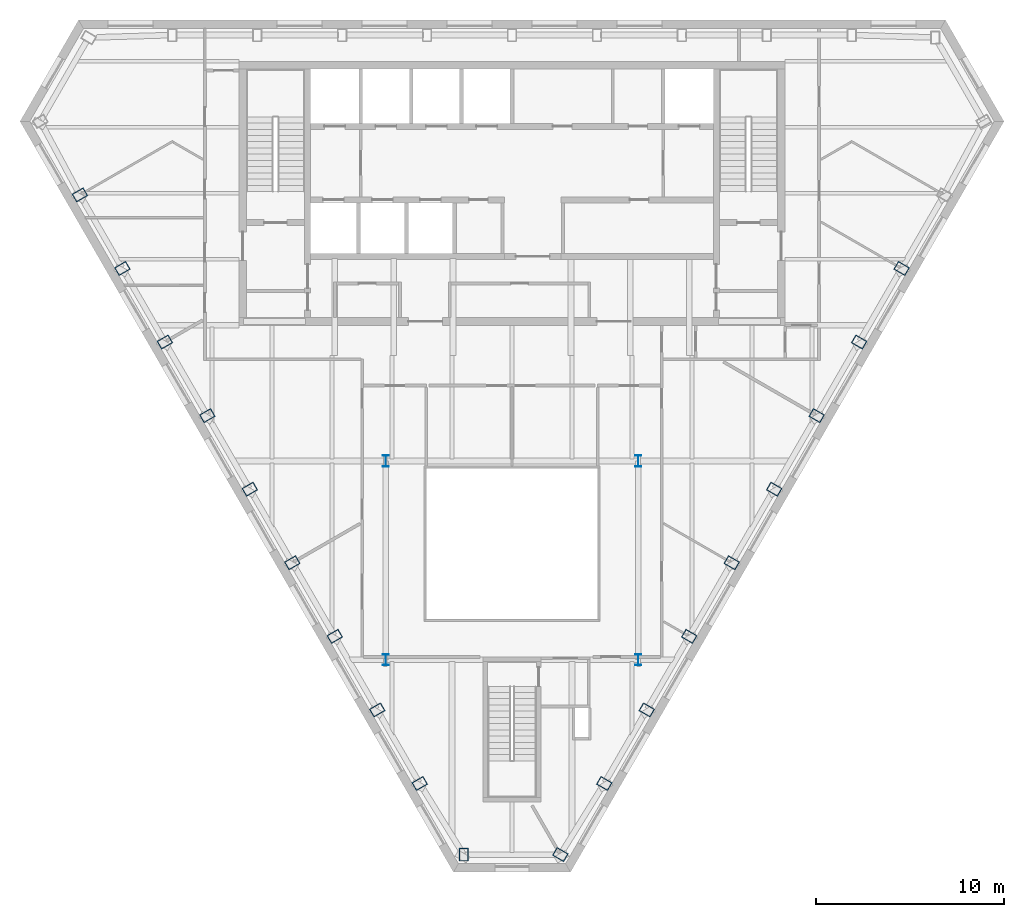
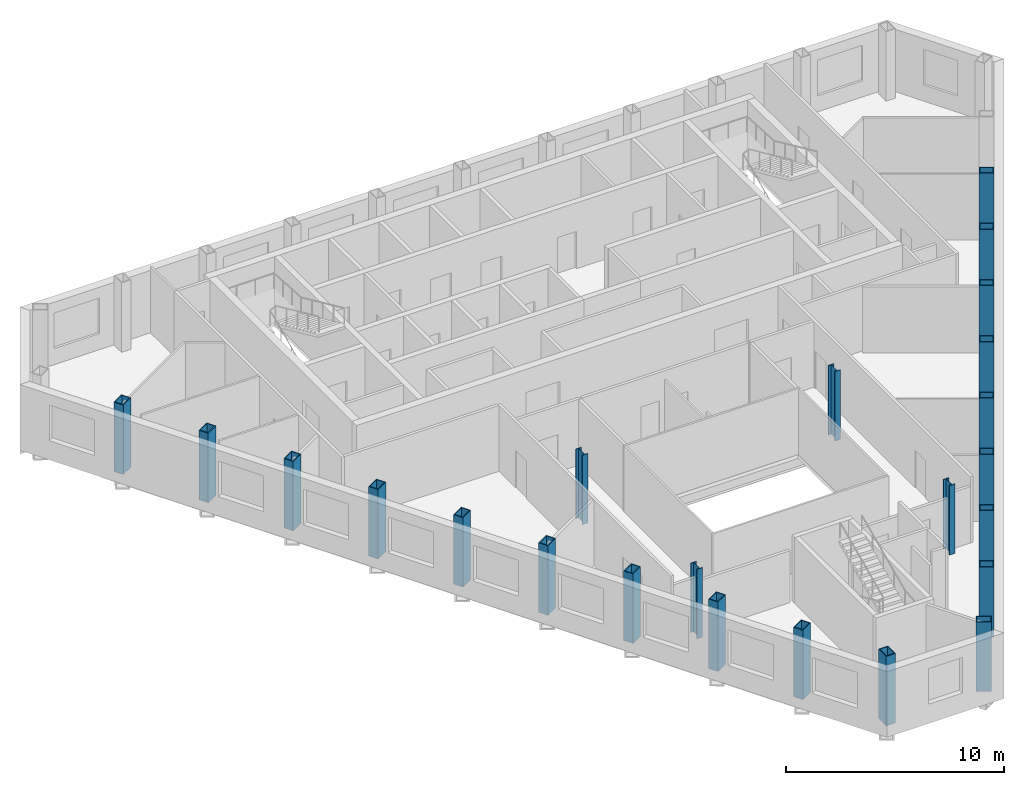
# One storey, part 1 of 10: 23 columns.
"""IFC4 building model written with IfcOpenShell, lengths in metres."""

from ifc_helpers import new_model, si_unit, direction, frame, origin, origin_2d, place, context, subcontext, project, spatial, hollow_rectangle, i_section, extrude, material, material_profile, profile_set, type_object, element, save


model = new_model("IFC4")

# Units and contexts
model_context = context("Model", 3, precision=1e-05, world=origin(), true_north=direction((0.0, 1.0)))
body_context = subcontext(model_context, "Body", "Model", "MODEL_VIEW")
ifc_project = project(units=[si_unit("LENGTHUNIT", "METRE"), si_unit("AREAUNIT", "SQUARE_METRE"), si_unit("VOLUMEUNIT", "CUBIC_METRE"), si_unit("PLANEANGLEUNIT", "RADIAN"), si_unit("MASSUNIT", "GRAM", prefix="KILO")], contexts=[model_context])

# Site, building, storey
site_placement = place(None, origin())
site = spatial("IfcSite", under=ifc_project, at=site_placement, CompositionType="ELEMENT")
building_placement = place(site_placement, origin())
building = spatial("IfcBuilding", under=site, at=building_placement, Name="Njiva Tower", CompositionType="ELEMENT")
storey_placement = place(building_placement, frame((0.0, 0.0, 245.4)))
storey = spatial("IfcBuildingStorey", under=building, at=storey_placement, Name="L55", CompositionType="ELEMENT", Elevation=245.4)

# Columns
ifc_material = material(Name="Steel S355 J2", Category="steel")
ifc_material_profile_1 = material_profile(ifc_material, hollow_rectangle(XDim=0.5, YDim=0.7, WallThickness=0.045, at=origin_2d()), Name="BOX 700x500x45")
ifc_profile_set_1 = profile_set([ifc_material_profile_1], Name="Steel S355 J2")
column_type_1 = type_object("IfcColumnType", Name="C13 Perimeter tube column BOX 700x500x45", PredefinedType="COLUMN", material=ifc_profile_set_1)
for number, where, z_axis, x_axis, name in (
    (1, (-22.932, 10.917, 0.0), (0.0, 0.0, 1.0), (0.5, -0.866025403784, 0.0), "Perimeter tube column S18-C13"),
    (2, (-20.678, 7.013, 0.0), (0.0, 0.0, 1.0), (0.5, -0.866025403784, 0.0), "Perimeter tube column S18-C14"),
    (3, (-18.423, 3.108, 0.0), (0.0, 0.0, 1.0), (0.5, -0.866025403784, 0.0), "Perimeter tube column S18-C15"),
    (4, (-16.169, -0.796, 0.0), (0.0, 0.0, 1.0), (0.5, -0.866025403784, 0.0), "Perimeter tube column S18-C16"),
    (5, (-13.915, -4.701, 0.0), (0.0, 0.0, 1.0), (0.5, -0.866025403784, 0.0), "Perimeter tube column S18-C17"),
    (6, (-11.66, -8.606, 0.0), (0.0, 0.0, 1.0), (0.5, -0.866025403784, 0.0), "Perimeter tube column S18-C18"),
    (7, (-9.406, -12.51, 0.0), (0.0, 0.0, 1.0), (0.5, -0.866025403784, 0.0), "Perimeter tube column S18-C19"),
    (8, (-7.152, -16.415, 0.0), (0.0, 0.0, 1.0), (0.5, -0.866025403784, 0.0), "Perimeter tube column S18-C20"),
    (9, (-4.897, -20.319, 0.0), (0.0, 0.0, 1.0), (0.5, -0.866025403784, 0.0), "Perimeter tube column S18-C21"),
    (10, (-2.566, -24.091, 0.0), (0.0, 0.0, 1.0), (1.0, 0.0, 0.0), "Perimeter tube column S18-C22"),
    (11, (2.566, -24.091, 0.0), (0.0, 0.0, 1.0), (0.5, 0.866025403784, 0.0), "Perimeter tube column S18-C23"),
    (12, (4.897, -20.319, 0.0), (0.0, 0.0, 1.0), (0.5, 0.866025403784, 0.0), "Perimeter tube column S18-C24"),
    (13, (7.152, -16.415, 0.0), (0.0, 0.0, 1.0), (0.5, 0.866025403784, 0.0), "Perimeter tube column S18-C25"),
    (14, (9.406, -12.51, 0.0), (0.0, 0.0, 1.0), (0.5, 0.866025403784, 0.0), "Perimeter tube column S18-C26"),
    (15, (11.66, -8.606, 0.0), (0.0, 0.0, 1.0), (0.5, 0.866025403784, 0.0), "Perimeter tube column S18-C27"),
    (16, (13.915, -4.701, 0.0), (0.0, 0.0, 1.0), (0.5, 0.866025403784, 0.0), "Perimeter tube column S18-C28"),
    (17, (16.169, -0.796, 0.0), (0.0, 0.0, 1.0), (0.5, 0.866025403784, 0.0), "Perimeter tube column S18-C29"),
    (18, (18.423, 3.108, 0.0), (0.0, 0.0, 1.0), (0.5, 0.866025403784, 0.0), "Perimeter tube column S18-C30"),
    (19, (20.678, 7.013, 0.0), (0.0, 0.0, 1.0), (0.5, 0.866025403784, 0.0), "Perimeter tube column S18-C31"),
):
    element("IfcColumn", number, at=place(storey_placement, frame(where, z_axis=z_axis, x_axis=x_axis)), inside=storey, type_object=column_type_1, Name=name, PredefinedType="COLUMN", context=body_context, shape_type="SweptSolid", body=[
        extrude(hollow_rectangle(XDim=0.5, YDim=0.7, WallThickness=0.045, at=origin_2d()), origin(), (0.0, 0.0, 1.0), 3.9),
    ])
ifc_material_profile_2 = material_profile(ifc_material, i_section(OverallWidth=0.3, OverallDepth=0.6, WebThickness=0.0155, FlangeThickness=0.03, at=origin_2d()), Name="HEB 600")
ifc_profile_set_2 = profile_set([ifc_material_profile_2], Name="Steel S355 J2")
column_type_2 = type_object("IfcColumnType", Name="C14 Interior column HEB 600", PredefinedType="COLUMN", material=ifc_profile_set_2)
for number, where, z_axis, x_axis, name in (
    (20, (6.7, -3.2, 0.0), (0.0, 0.0, 1.0), (1.0, 0.0, 0.0), "Interior column S18-C34"),
    (21, (-6.7, -3.2, 0.0), (0.0, 0.0, 1.0), (1.0, 0.0, 0.0), "Interior column S18-C35"),
    (22, (6.7, -13.75, 0.0), (0.0, 0.0, 1.0), (1.0, 0.0, 0.0), "Interior column S18-C36"),
    (23, (-6.7, -13.75, 0.0), (0.0, 0.0, 1.0), (1.0, 0.0, 0.0), "Interior column S18-C37"),
):
    element("IfcColumn", number, at=place(storey_placement, frame(where, z_axis=z_axis, x_axis=x_axis)), inside=storey, type_object=column_type_2, Name=name, PredefinedType="COLUMN", context=body_context, shape_type="SweptSolid", body=[
        extrude(i_section(OverallWidth=0.3, OverallDepth=0.6, WebThickness=0.0155, FlangeThickness=0.03, at=origin_2d()), origin(), (0.0, 0.0, 1.0), 3.9),
    ])

save(model, "model.ifc")
